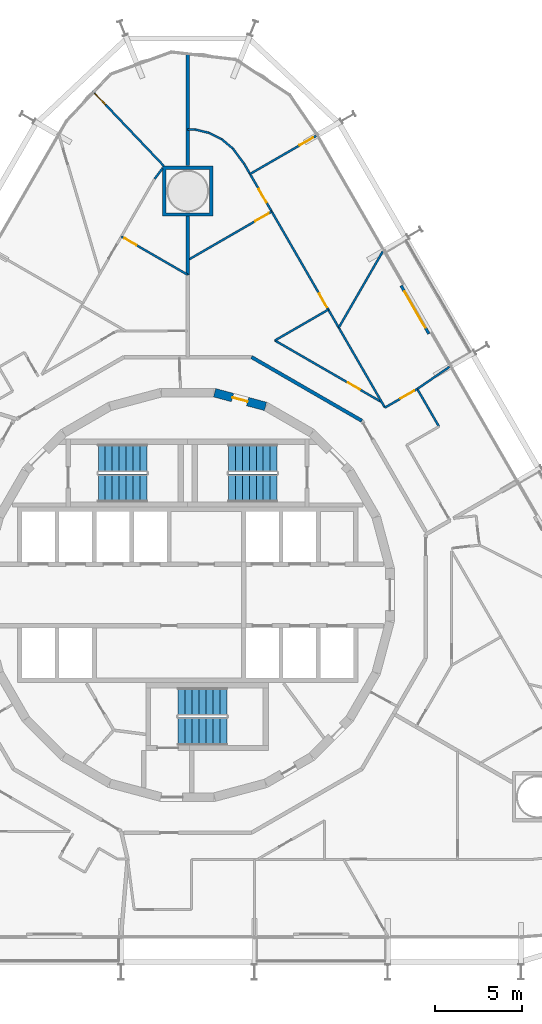
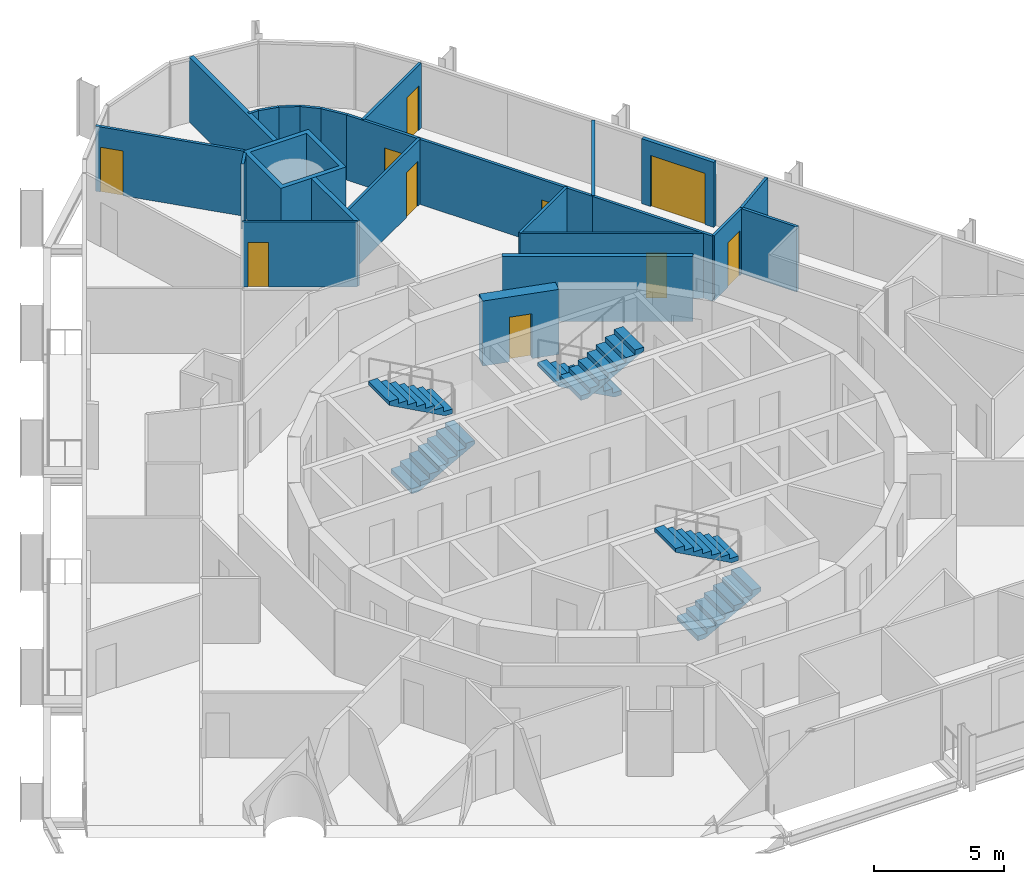
# One storey, part 18 of 20: 24 walls, 10 doors, 6 stair flights, 10 openings, 3 elements without a shape of their own.
"""IFC4 building model written with IfcOpenShell, lengths in metres."""

from ifc_helpers import new_model, si_unit, direction, frame, frame_2d, origin, place, context, subcontext, project, spatial, polyline, rectangle, outline, extrude, material, layer, layer_set, type_object, element, fill, aggregate, save


model = new_model("IFC4")

# Units and contexts
model_context = context("Model", 3, precision=1e-05, world=origin(), true_north=direction((0.0, 1.0)))
body_context = subcontext(model_context, "Body", "Model", "MODEL_VIEW")
ifc_project = project(units=[si_unit("LENGTHUNIT", "METRE"), si_unit("AREAUNIT", "SQUARE_METRE"), si_unit("VOLUMEUNIT", "CUBIC_METRE"), si_unit("PLANEANGLEUNIT", "RADIAN"), si_unit("MASSUNIT", "GRAM", prefix="KILO")], contexts=[model_context])

# Site, building, storey
site_placement = place(None, origin())
site = spatial("IfcSite", under=ifc_project, at=site_placement, CompositionType="ELEMENT")
building_placement = place(site_placement, origin())
building = spatial("IfcBuilding", under=site, at=building_placement, Name="Spindle Arch Residences", CompositionType="ELEMENT")
storey_placement = place(building_placement, frame((0.0, 0.0, 66.39990234375)))
storey = spatial("IfcBuildingStorey", under=building, at=storey_placement, Name="L15", CompositionType="ELEMENT", Elevation=66.39990234375)

# Wall, opening, door
ifc_material_1 = material(Name="Concrete C50/60", Category="concrete")
ifc_layer_1 = layer(ifc_material_1, 0.5)
ifc_layer_set_1 = layer_set([ifc_layer_1], Name="Core outline wall 500")
wall_type_1 = type_object("IfcWallType", Name="Core outline wall 500", PredefinedType="SHEAR", material=ifc_layer_set_1)
wall_1_placement = place(storey_placement, frame((4.479248046875, 10.858154296875, 0.0), z_axis=(0.0, 0.0, 1.0), x_axis=(-0.965948410781, 0.258734743916, 0.0)))
wall_1 = element("IfcWall", 1, at=wall_1_placement, inside=storey, type_object=wall_type_1, Name="Core outline wall 11", PredefinedType="SHEAR", context=body_context, shape_type="SweptSolid", body=[
    extrude(rectangle(XDim=3.03271484375, YDim=0.5, at=frame_2d((1.516357421875, 0.0))), origin(), (0.0, 0.0, 1.0), 3.050048828125),
])
opening_1_placement = place(wall_1_placement, frame((1.066162109375, 0.0, 0.0)))
opening_1 = element("IfcOpeningElement", 2, at=opening_1_placement, cuts=wall_1, Name="Opening R1C0-WD09", PredefinedType="OPENING", context=body_context, shape_type="SweptSolid", body=[
    extrude(rectangle(XDim=0.89990234375, YDim=2.10009765625, at=frame_2d((0.449951171875, 1.050048828125))), frame((0.0, 0.260009765625, 0.0), z_axis=(0.0, -1.0, 0.0), x_axis=(1.0, 0.0, 0.0)), (0.0, 0.0, 1.0), 0.52001953125),
])
ifc_material_2 = material(Name="Steel, fire-resisting door", Category="steel")
door_type_1 = type_object("IfcDoorType", Name="Service room door 900x2100", OperationType="SINGLE_SWING_LEFT", PredefinedType="DOOR", material=ifc_material_2)
door_1_placement = place(opening_1_placement, origin())
door_1 = element("IfcDoor", 3, at=door_1_placement, inside=storey, type_object=door_type_1, Name="Service room door R1C0-WD09", OperationType="SINGLE_SWING_RIGHT", OverallHeight=2.10009765625, OverallWidth=0.89990234375, PredefinedType="DOOR", context=body_context, shape_type="SweptSolid", body=[
    extrude(rectangle(XDim=0.89990234375, YDim=2.10009765625, at=frame_2d((0.449951171875, 1.050048828125))), frame((0.0, 0.02490234375, 0.0), z_axis=(0.0, -1.0, 0.0), x_axis=(1.0, 0.0, 0.0)), (0.0, 0.0, 1.0), 0.050048828125),
])
fill(opening_1, door_1)

# Walls
ifc_material_3 = material(Name="Calcium silicate block, plastered")
ifc_layer_2 = layer(ifc_material_3, 0.199951171875)
ifc_layer_set_2 = layer_set([ifc_layer_2], Name="Corridor wall 200")
wall_type_2 = type_object("IfcWallType", Name="Corridor wall 200", PredefinedType="STANDARD", material=ifc_layer_set_2)
wall_2_placement = place(storey_placement, frame((10.029052734375, 10.029052734375, 0.0), z_axis=(0.0, 0.0, 1.0), x_axis=(-0.866024439905, 0.500001669485, 0.0)))
element("IfcWall", 4, at=wall_2_placement, inside=storey, type_object=wall_type_2, Name="Corridor wall R1C0-W005", PredefinedType="STANDARD", context=body_context, shape_type="SweptSolid", body=[
    extrude(rectangle(XDim=7.341796875, YDim=0.199951171875, at=frame_2d((3.6708984375, 0.0))), origin(), (0.0, 0.0, 1.0), 3.050048828125),
])
ifc_material_4 = material(Name="Plasterboard on steel studs", Category="steel")
ifc_layer_3 = layer(ifc_material_4, 0.1201171875)
ifc_layer_set_3 = layer_set([ifc_layer_3], Name="Flat partition 120")
wall_type_3 = type_object("IfcWallType", Name="Flat partition 120", PredefinedType="PARTITIONING", material=ifc_layer_set_3)
wall_3_placement = place(storey_placement, frame((14.470703125, 9.697021484375, 0.0), z_axis=(0.0, 0.0, 1.0), x_axis=(-0.500004234368, 0.866022959057, 0.0)))
element("IfcWall", 5, at=wall_3_placement, inside=storey, type_object=wall_type_3, Name="Flat partition R1C0-W034", PredefinedType="PARTITIONING", context=body_context, shape_type="SweptSolid", body=[
    extrude(rectangle(XDim=2.5, YDim=0.1201171875, at=frame_2d((1.25, 0.0))), origin(), (0.0, 0.0, 1.0), 3.050048828125),
])

# Wall, opening, door
wall_4_placement = place(storey_placement, frame((13.220703125, 11.862060546875, 0.0), z_axis=(0.0, 0.0, 1.0), x_axis=(-0.866055151781, -0.499948471418, 0.0)))
wall_4 = element("IfcWall", 6, at=wall_4_placement, inside=storey, type_object=wall_type_3, Name="Flat partition R1C0-W035", PredefinedType="PARTITIONING", context=body_context, shape_type="SweptSolid", body=[
    extrude(rectangle(XDim=2.150634765625, YDim=0.1201171875, at=frame_2d((1.0751953125, 0.0))), origin(), (0.0, 0.0, 1.0), 3.050048828125),
])
opening_2_placement = place(wall_4_placement, frame((0.199951171875, 0.0, 0.0)))
opening_2 = element("IfcOpeningElement", 7, at=opening_2_placement, cuts=wall_4, Name="Opening R1C0-ID02", PredefinedType="OPENING", context=body_context, shape_type="SweptSolid", body=[
    extrude(rectangle(XDim=0.89990234375, YDim=2.10009765625, at=frame_2d((0.449951171875, 1.050048828125))), frame((0.0, 0.070068359375, 0.0), z_axis=(0.0, -1.0, 0.0), x_axis=(1.0, 0.0, 0.0)), (0.0, 0.0, 1.0), 0.14013671875),
])
ifc_material_5 = material(Name="Timber door set", Category="wood")
door_type_2 = type_object("IfcDoorType", Name="Room door 900x2100", OperationType="NOTDEFINED", PredefinedType="DOOR", material=ifc_material_5)
door_2_placement = place(opening_2_placement, origin())
door_2 = element("IfcDoor", 8, at=door_2_placement, inside=storey, type_object=door_type_2, Name="Room door R1C0-ID02", OperationType="SINGLE_SWING_RIGHT", OverallHeight=2.10009765625, OverallWidth=0.89990234375, PredefinedType="DOOR", context=body_context, shape_type="SweptSolid", body=[
    extrude(rectangle(XDim=0.89990234375, YDim=2.10009765625, at=frame_2d((0.449951171875, 1.050048828125))), frame((0.0, 0.02490234375, 0.0), z_axis=(0.0, -1.0, 0.0), x_axis=(1.0, 0.0, 0.0)), (0.0, 0.0, 1.0), 0.050048828125),
])
fill(opening_2, door_2)

wall_5_placement = place(storey_placement, frame((11.127197265625, 11.127197265625, 0.0), z_axis=(0.0, 0.0, 1.0), x_axis=(-0.86602299963, 0.500004164094, 0.0)))
wall_5 = element("IfcWall", 9, at=wall_5_placement, inside=storey, type_object=wall_type_3, Name="Flat partition R1C0-W036", PredefinedType="PARTITIONING", context=body_context, shape_type="SweptSolid", body=[
    extrude(rectangle(XDim=7.0517578125, YDim=0.1201171875, at=frame_2d((3.52587890625, 0.0))), origin(), (0.0, 0.0, 1.0), 3.050048828125),
])
opening_3_placement = place(wall_5_placement, frame((1.39990234375, 0.0, 0.0)))
opening_3 = element("IfcOpeningElement", 10, at=opening_3_placement, cuts=wall_5, Name="Opening R1C0-BD01", PredefinedType="OPENING", context=body_context, shape_type="SweptSolid", body=[
    extrude(rectangle(XDim=0.800048828125, YDim=2.10009765625, at=frame_2d((0.39990234375, 1.050048828125))), frame((0.0, 0.070068359375, 0.0), z_axis=(0.0, -1.0, 0.0), x_axis=(1.0, 0.0, 0.0)), (0.0, 0.0, 1.0), 0.14013671875),
])
ifc_material_6 = material(Name="Timber door set", Category="wood")
door_type_3 = type_object("IfcDoorType", Name="Bathroom door 800x2100", OperationType="NOTDEFINED", PredefinedType="DOOR", material=ifc_material_6)
door_3_placement = place(opening_3_placement, origin())
door_3 = element("IfcDoor", 11, at=door_3_placement, inside=storey, type_object=door_type_3, Name="Bathroom door R1C0-BD01", OperationType="SINGLE_SWING_RIGHT", OverallHeight=2.10009765625, OverallWidth=0.800048828125, PredefinedType="DOOR", context=body_context, shape_type="SweptSolid", body=[
    extrude(rectangle(XDim=0.800048828125, YDim=2.10009765625, at=frame_2d((0.39990234375, 1.050048828125))), frame((0.0, 0.02490234375, 0.0), z_axis=(0.0, -1.0, 0.0), x_axis=(1.0, 0.0, 0.0)), (0.0, 0.0, 1.0), 0.050048828125),
])
fill(opening_3, door_3)

# Wall
wall_6_placement = place(storey_placement, frame((5.020263671875, 14.653076171875, 0.0), z_axis=(0.0, 0.0, 1.0), x_axis=(0.866028940167, 0.499993874756, 0.0)))
element("IfcWall", 12, at=wall_6_placement, inside=storey, type_object=wall_type_3, Name="Flat partition R1C0-W037", PredefinedType="PARTITIONING", context=body_context, shape_type="SweptSolid", body=[
    extrude(rectangle(XDim=3.5556640625, YDim=0.1201171875, at=frame_2d((1.77783203125, 0.0))), origin(), (0.0, 0.0, 1.0), 3.050048828125),
])

# Wall, openings, doors
wall_7_placement = place(storey_placement, frame((8.69970703125, 15.3916015625, 0.0), z_axis=(0.0, 0.0, 1.0), x_axis=(-0.500002742713, 0.866023820272, 0.0)))
wall_7 = element("IfcWall", 13, at=wall_7_placement, inside=storey, type_object=wall_type_3, Name="Flat partition R1C0-W038", PredefinedType="PARTITIONING", context=body_context, shape_type="SweptSolid", body=[
    extrude(rectangle(XDim=10.90771484375, YDim=0.1201171875, at=frame_2d((5.453857421875, 0.0))), origin(), (0.0, 0.0, 1.0), 3.050048828125),
])
opening_4_placement = place(wall_7_placement, frame((1.360107421875, 0.0, 0.0)))
opening_4 = element("IfcOpeningElement", 14, at=opening_4_placement, cuts=wall_7, Name="Opening R1C0-ID03", PredefinedType="OPENING", context=body_context, shape_type="SweptSolid", body=[
    extrude(rectangle(XDim=0.89990234375, YDim=2.10009765625, at=frame_2d((0.449951171875, 1.050048828125))), frame((0.0, 0.070068359375, 0.0), z_axis=(0.0, -1.0, 0.0), x_axis=(1.0, 0.0, 0.0)), (0.0, 0.0, 1.0), 0.14013671875),
])
opening_5_placement = place(wall_7_placement, frame((8.3173828125, 0.0, 0.0)))
opening_5 = element("IfcOpeningElement", 15, at=opening_5_placement, cuts=wall_7, Name="Opening R1C0-ID06", PredefinedType="OPENING", context=body_context, shape_type="SweptSolid", body=[
    extrude(rectangle(XDim=0.89990234375, YDim=2.10009765625, at=frame_2d((0.449951171875, 1.050048828125))), frame((0.0, 0.070068359375, 0.0), z_axis=(0.0, -1.0, 0.0), x_axis=(1.0, 0.0, 0.0)), (0.0, 0.0, 1.0), 0.14013671875),
])
door_4_placement = place(opening_4_placement, origin())
door_4 = element("IfcDoor", 16, at=door_4_placement, inside=storey, type_object=door_type_2, Name="Room door R1C0-ID03", OperationType="SINGLE_SWING_RIGHT", OverallHeight=2.10009765625, OverallWidth=0.89990234375, PredefinedType="DOOR", context=body_context, shape_type="SweptSolid", body=[
    extrude(rectangle(XDim=0.89990234375, YDim=2.10009765625, at=frame_2d((0.449951171875, 1.050048828125))), frame((0.0, 0.02490234375, 0.0), z_axis=(0.0, -1.0, 0.0), x_axis=(1.0, 0.0, 0.0)), (0.0, 0.0, 1.0), 0.050048828125),
])
fill(opening_4, door_4)
door_5_placement = place(opening_5_placement, origin())
door_5 = element("IfcDoor", 17, at=door_5_placement, inside=storey, type_object=door_type_2, Name="Room door R1C0-ID06", OperationType="SINGLE_SWING_LEFT", OverallHeight=2.10009765625, OverallWidth=0.89990234375, PredefinedType="DOOR", context=body_context, shape_type="SweptSolid", body=[
    extrude(rectangle(XDim=0.89990234375, YDim=2.10009765625, at=frame_2d((0.449951171875, 1.050048828125))), frame((0.0, 0.02490234375, 0.0), z_axis=(0.0, -1.0, 0.0), x_axis=(1.0, 0.0, 0.0)), (0.0, 0.0, 1.0), 0.050048828125),
])
fill(opening_5, door_5)

# Wall, opening, door
wall_8_placement = place(storey_placement, frame((4.8408203125, 22.0751953125, 0.0), z_axis=(0.0, 0.0, 1.0), x_axis=(-0.866019751484, -0.500009789943, 0.0)))
wall_8 = element("IfcWall", 18, at=wall_8_placement, inside=storey, type_object=wall_type_3, Name="Flat partition R1C0-W039", PredefinedType="PARTITIONING", context=body_context, shape_type="SweptSolid", body=[
    extrude(rectangle(XDim=5.58984375, YDim=0.1201171875, at=frame_2d((2.794921875, 0.0))), origin(), (0.0, 0.0, 1.0), 3.050048828125),
])
opening_6_placement = place(wall_8_placement, frame((0.199951171875, 0.0, 0.0)))
opening_6 = element("IfcOpeningElement", 19, at=opening_6_placement, cuts=wall_8, Name="Opening R1C0-ID04", PredefinedType="OPENING", context=body_context, shape_type="SweptSolid", body=[
    extrude(rectangle(XDim=0.89990234375, YDim=2.10009765625, at=frame_2d((0.449951171875, 1.050048828125))), frame((0.0, 0.070068359375, 0.0), z_axis=(0.0, -1.0, 0.0), x_axis=(1.0, 0.0, 0.0)), (0.0, 0.0, 1.0), 0.14013671875),
])
door_6_placement = place(opening_6_placement, origin())
door_6 = element("IfcDoor", 20, at=door_6_placement, inside=storey, type_object=door_type_2, Name="Room door R1C0-ID04", OperationType="SINGLE_SWING_RIGHT", OverallHeight=2.10009765625, OverallWidth=0.89990234375, PredefinedType="DOOR", context=body_context, shape_type="SweptSolid", body=[
    extrude(rectangle(XDim=0.89990234375, YDim=2.10009765625, at=frame_2d((0.449951171875, 1.050048828125))), frame((0.0, 0.02490234375, 0.0), z_axis=(0.0, -1.0, 0.0), x_axis=(1.0, 0.0, 0.0)), (0.0, 0.0, 1.0), 0.050048828125),
])
fill(opening_6, door_6)

# Walls
wall_9_placement = place(storey_placement, frame((15.080078125, 13.140380859375, 0.0), z_axis=(0.0, 0.0, 1.0), x_axis=(-0.824041924199, -0.566528822887, 0.0)))
element("IfcWall", 21, at=wall_9_placement, inside=storey, type_object=wall_type_3, Name="Flat partition R1C0-W040", PredefinedType="PARTITIONING", context=body_context, shape_type="SweptSolid", body=[
    extrude(rectangle(XDim=2.25634765625, YDim=0.1201171875, at=frame_2d((1.128173828125, 0.0))), origin(), (0.0, 0.0, 1.0), 3.050048828125),
])
wall_10_placement = place(storey_placement, frame((8.69970703125, 15.3916015625, 0.0), z_axis=(0.0, 0.0, 1.0), x_axis=(0.499986106925, -0.866033424806, 0.0)))
element("IfcWall", 22, at=wall_10_placement, inside=storey, type_object=wall_type_3, Name="Flat partition R1C0-W041", PredefinedType="PARTITIONING", context=body_context, shape_type="SweptSolid", body=[
    extrude(rectangle(XDim=5.317138671875, YDim=0.1201171875, at=frame_2d((2.65869140625, 0.0))), origin(), (0.0, 0.0, 1.0), 3.050048828125),
])
wall_11_placement = place(storey_placement, frame((11.239990234375, 19.791748046875, 0.0), z_axis=(0.0, 0.0, 1.0), x_axis=(-0.499978956711, -0.866037552792, 0.0)))
element("IfcWall", 23, at=wall_11_placement, inside=storey, type_object=wall_type_3, Name="Flat partition R1C0-W042", PredefinedType="PARTITIONING", context=body_context, shape_type="SweptSolid", body=[
    extrude(rectangle(XDim=5.080810546875, YDim=0.1201171875, at=frame_2d((2.54052734375, 0.0))), origin(), (0.0, 0.0, 1.0), 3.050048828125),
])

# Wall, opening, door
wall_12_placement = place(storey_placement, frame((7.39990234375, 26.44287109375, 0.0), z_axis=(0.0, 0.0, 1.0), x_axis=(-0.866032203192, -0.499988222896, 0.0)))
wall_12 = element("IfcWall", 24, at=wall_12_placement, inside=storey, type_object=wall_type_3, Name="Flat partition R1C0-W043", PredefinedType="PARTITIONING", context=body_context, shape_type="SweptSolid", body=[
    extrude(rectangle(XDim=4.39990234375, YDim=0.1201171875, at=frame_2d((2.199951171875, 0.0))), origin(), (0.0, 0.0, 1.0), 3.050048828125),
])
opening_7_placement = place(wall_12_placement, frame((0.199951171875, 0.0, 0.0)))
opening_7 = element("IfcOpeningElement", 25, at=opening_7_placement, cuts=wall_12, Name="Opening R1C0-ID05", PredefinedType="OPENING", context=body_context, shape_type="SweptSolid", body=[
    extrude(rectangle(XDim=0.89990234375, YDim=2.10009765625, at=frame_2d((0.449951171875, 1.050048828125))), frame((0.0, 0.070068359375, 0.0), z_axis=(0.0, -1.0, 0.0), x_axis=(1.0, 0.0, 0.0)), (0.0, 0.0, 1.0), 0.14013671875),
])
door_7_placement = place(opening_7_placement, origin())
door_7 = element("IfcDoor", 26, at=door_7_placement, inside=storey, type_object=door_type_2, Name="Room door R1C0-ID05", OperationType="SINGLE_SWING_RIGHT", OverallHeight=2.10009765625, OverallWidth=0.89990234375, PredefinedType="DOOR", context=body_context, shape_type="SweptSolid", body=[
    extrude(rectangle(XDim=0.89990234375, YDim=2.10009765625, at=frame_2d((0.449951171875, 1.050048828125))), frame((0.0, 0.02490234375, 0.0), z_axis=(0.0, -1.0, 0.0), x_axis=(1.0, 0.0, 0.0)), (0.0, 0.0, 1.0), 0.050048828125),
])
fill(opening_7, door_7)

# Walls
wall_13_placement = place(storey_placement, frame((0.0, 26.8056640625, 0.0), z_axis=(0.0, 0.0, 1.0), x_axis=(1.0, 0.0, 0.0)))
element("IfcWall", 27, at=wall_13_placement, inside=storey, type_object=wall_type_3, Name="Flat partition R1C0-W044", PredefinedType="PARTITIONING", context=body_context, shape_type="SweptSolid", body=[
    extrude(rectangle(XDim=0.41455078125, YDim=0.1201171875, at=frame_2d((0.207275390625, 0.0))), origin(), (0.0, 0.0, 1.0), 3.050048828125),
])
wall_14_placement = place(storey_placement, frame((0.41455078125, 26.8056640625, 0.0), z_axis=(0.0, 0.0, 1.0), x_axis=(0.973048993259, -0.230598475097, 0.0)))
element("IfcWall", 28, at=wall_14_placement, inside=storey, type_object=wall_type_3, Name="Flat partition R1C0-W045", PredefinedType="PARTITIONING", context=body_context, shape_type="SweptSolid", body=[
    extrude(rectangle(XDim=0.8291015625, YDim=0.1201171875, at=frame_2d((0.41455078125, 0.0))), origin(), (0.0, 0.0, 1.0), 3.050048828125),
])
for number, where, z_axis, x_axis, name in (
    (29, (1.22119140625, 26.614501953125, 0.0), (0.0, 0.0, 1.0), (0.893719110379, -0.448626962791, 0.0), "Flat partition R1C0-W046"),
    (30, (1.9619140625, 26.24267578125, 0.0), (0.0, 0.0, 1.0), (0.765849913579, -0.643019369748, 0.0), "Flat partition R1C0-W047"),
):
    element("IfcWall", number, at=place(storey_placement, frame(where, z_axis=z_axis, x_axis=x_axis)), inside=storey, type_object=wall_type_3, Name=name, PredefinedType="PARTITIONING", context=body_context, shape_type="SweptSolid", body=[
        extrude(rectangle(XDim=0.828857421875, YDim=0.1201171875, at=frame_2d((0.41455078125, 0.0))), origin(), (0.0, 0.0, 1.0), 3.050048828125),
    ])
wall_15_placement = place(storey_placement, frame((2.5966796875, 25.709716796875, 0.0), z_axis=(0.0, 0.0, 1.0), x_axis=(0.59722925597, -0.802070580319, 0.0)))
element("IfcWall", 31, at=wall_15_placement, inside=storey, type_object=wall_type_3, Name="Flat partition R1C0-W048", PredefinedType="PARTITIONING", context=body_context, shape_type="SweptSolid", body=[
    extrude(rectangle(XDim=1.0869140625, YDim=0.1201171875, at=frame_2d((0.54345703125, 0.0))), origin(), (0.0, 0.0, 1.0), 3.050048828125),
])

# Wall, opening, door
wall_16_placement = place(storey_placement, frame((-5.487060546875, 29.0283203125, 0.0), z_axis=(0.0, 0.0, 1.0), x_axis=(0.689189638576, -0.724581011398, 0.0)))
wall_16 = element("IfcWall", 32, at=wall_16_placement, inside=storey, type_object=wall_type_3, Name="Flat partition R1C0-W055", PredefinedType="PARTITIONING", context=body_context, shape_type="SweptSolid", body=[
    extrude(rectangle(XDim=5.960205078125, YDim=0.1201171875, at=frame_2d((2.97998046875, 0.0))), origin(), (0.0, 0.0, 1.0), 3.050048828125),
])
opening_8_placement = place(wall_16_placement, frame((0.199951171875, 0.0, 0.0)))
opening_8 = element("IfcOpeningElement", 33, at=opening_8_placement, cuts=wall_16, Name="Opening R1C0-ID10", PredefinedType="OPENING", context=body_context, shape_type="SweptSolid", body=[
    extrude(rectangle(XDim=0.89990234375, YDim=2.10009765625, at=frame_2d((0.449951171875, 1.050048828125))), frame((0.0, 0.070068359375, 0.0), z_axis=(0.0, -1.0, 0.0), x_axis=(1.0, 0.0, 0.0)), (0.0, 0.0, 1.0), 0.14013671875),
])
door_8_placement = place(opening_8_placement, origin())
door_8 = element("IfcDoor", 34, at=door_8_placement, inside=storey, type_object=door_type_2, Name="Room door R1C0-ID10", OperationType="SINGLE_SWING_LEFT", OverallHeight=2.10009765625, OverallWidth=0.89990234375, PredefinedType="DOOR", context=body_context, shape_type="SweptSolid", body=[
    extrude(rectangle(XDim=0.89990234375, YDim=2.10009765625, at=frame_2d((0.449951171875, 1.050048828125))), frame((0.0, 0.02490234375, 0.0), z_axis=(0.0, -1.0, 0.0), x_axis=(1.0, 0.0, 0.0)), (0.0, 0.0, 1.0), 0.050048828125),
])
fill(opening_8, door_8)

wall_17_placement = place(storey_placement, frame((-3.820556640625, 20.642578125, 0.0), z_axis=(0.0, 0.0, 1.0), x_axis=(0.866024310165, -0.5000018942, 0.0)))
wall_17 = element("IfcWall", 35, at=wall_17_placement, inside=storey, type_object=wall_type_3, Name="Flat partition R1C0-W056", PredefinedType="PARTITIONING", context=body_context, shape_type="SweptSolid", body=[
    extrude(rectangle(XDim=4.41162109375, YDim=0.1201171875, at=frame_2d((2.205810546875, 0.0))), origin(), (0.0, 0.0, 1.0), 3.050048828125),
])
opening_9_placement = place(wall_17_placement, frame((0.199951171875, 0.0, 0.0)))
opening_9 = element("IfcOpeningElement", 36, at=opening_9_placement, cuts=wall_17, Name="Opening R1C0-BD03", PredefinedType="OPENING", context=body_context, shape_type="SweptSolid", body=[
    extrude(rectangle(XDim=0.800048828125, YDim=2.10009765625, at=frame_2d((0.39990234375, 1.050048828125))), frame((0.0, 0.070068359375, 0.0), z_axis=(0.0, -1.0, 0.0), x_axis=(1.0, 0.0, 0.0)), (0.0, 0.0, 1.0), 0.14013671875),
])
door_9_placement = place(opening_9_placement, origin())
door_9 = element("IfcDoor", 37, at=door_9_placement, inside=storey, type_object=door_type_3, Name="Bathroom door R1C0-BD03", OperationType="SINGLE_SWING_LEFT", OverallHeight=2.10009765625, OverallWidth=0.800048828125, PredefinedType="DOOR", context=body_context, shape_type="SweptSolid", body=[
    extrude(rectangle(XDim=0.800048828125, YDim=2.10009765625, at=frame_2d((0.39990234375, 1.050048828125))), frame((0.0, 0.02490234375, 0.0), z_axis=(0.0, -1.0, 0.0), x_axis=(1.0, 0.0, 0.0)), (0.0, 0.0, 1.0), 0.050048828125),
])
fill(opening_9, door_9)

# Walls
wall_18_placement = place(storey_placement, frame((-1.449951171875, 24.57080078125, 0.0), z_axis=(0.0, 0.0, 1.0), x_axis=(-0.597187509737, -0.802101663266, 0.0)))
element("IfcWall", 38, at=wall_18_placement, inside=storey, type_object=wall_type_3, Name="Flat partition R1C0-W057", PredefinedType="PARTITIONING", context=body_context, shape_type="SweptSolid", body=[
    extrude(rectangle(XDim=0.764892578125, YDim=0.1201171875, at=frame_2d((0.38232421875, 0.0))), origin(), (0.0, 0.0, 1.0), 3.050048828125),
])
ifc_material_7 = material(Name="Calcium silicate block, plastered")
ifc_layer_4 = layer(ifc_material_7, 0.199951171875)
ifc_layer_set_4 = layer_set([ifc_layer_4], Name="Flat party wall 200")
wall_type_4 = type_object("IfcWallType", Name="Flat party wall 200", PredefinedType="STANDARD", material=ifc_layer_set_4)
wall_19_placement = place(storey_placement, frame((0.0, 21.809814453125, 0.0), z_axis=(0.0, 0.0, 1.0), x_axis=(0.0, -1.0, 0.0)))
element("IfcWall", 39, at=wall_19_placement, inside=storey, type_object=wall_type_4, Name="Flat party wall R1C0-W018", PredefinedType="STANDARD", context=body_context, shape_type="SweptSolid", body=[
    extrude(rectangle(XDim=3.373046875, YDim=0.199951171875, at=frame_2d((1.6865234375, 0.0))), origin(), (0.0, 0.0, 1.0), 3.050048828125),
])
wall_20_placement = place(storey_placement, frame((0.0, 31.205810546875, 0.0), z_axis=(0.0, 0.0, 1.0), x_axis=(-0.001543266126, -0.999998809164, 0.0)))
element("IfcWall", 40, at=wall_20_placement, inside=storey, type_object=wall_type_4, Name="Flat party wall R1C0-W021", PredefinedType="STANDARD", context=body_context, shape_type="SweptSolid", body=[
    extrude(rectangle(XDim=6.486083984375, YDim=0.199951171875, at=frame_2d((3.2431640625, 0.0))), origin(), (0.0, 0.0, 1.0), 3.050048828125),
])

# Wall, opening, door
ifc_material_8 = material(Name="Non-combustible mineral wool insulated aluminium faced external wall (K0)", Category="aluminium")
ifc_layer_5 = layer(ifc_material_8, 0.159912109375)
ifc_layer_set_5 = layer_set([ifc_layer_5], Name="Insulated external wall panel 160")
wall_type_5 = type_object("IfcWallType", Name="Insulated external wall panel 160", PredefinedType="STANDARD", material=ifc_layer_set_5)
wall_21_placement = place(storey_placement, frame((13.890625, 15.04052734375, 0.0), z_axis=(0.0, 0.0, 1.0), x_axis=(-0.499971222258, 0.866042017984, 0.0)))
wall_21 = element("IfcWall", 41, at=wall_21_placement, inside=storey, type_object=wall_type_5, Name="External wall L15 bay 9", PredefinedType="STANDARD", context=body_context, shape_type="SweptSolid", body=[
    extrude(rectangle(XDim=3.199951171875, YDim=0.159912109375, at=frame_2d((1.60009765625, 0.0))), origin(), (0.0, 0.0, 1.0), 3.050048828125),
])
opening_10_placement = place(wall_21_placement, frame((0.39990234375, 0.0, 0.0)))
opening_10 = element("IfcOpeningElement", 42, at=opening_10_placement, cuts=wall_21, Name="Opening BD09", PredefinedType="OPENING", context=body_context, shape_type="SweptSolid", body=[
    extrude(rectangle(XDim=2.39990234375, YDim=2.39990234375, at=frame_2d((1.199951171875, 1.199951171875))), frame((0.0, 0.08984375, 0.0), z_axis=(0.0, -1.0, 0.0), x_axis=(1.0, 0.0, 0.0)), (0.0, 0.0, 1.0), 0.179931640625),
])
ifc_material_9 = material(Name="Bronze aluminium frame, tinted double glazing", Category="aluminium")
door_type_4 = type_object("IfcDoorType", Name="Sliding glazed balcony door 2400x2400", OperationType="DOUBLE_DOOR_SLIDING", PredefinedType="DOOR", material=ifc_material_9)
door_10_placement = place(opening_10_placement, origin())
door_10 = element("IfcDoor", 43, at=door_10_placement, inside=storey, type_object=door_type_4, Name="Balcony door BD09", OperationType="DOUBLE_DOOR_SLIDING", OverallHeight=2.39990234375, OverallWidth=2.39990234375, PredefinedType="DOOR", context=body_context, shape_type="SweptSolid", body=[
    extrude(rectangle(XDim=2.39990234375, YDim=2.39990234375, at=frame_2d((1.199951171875, 1.199951171875))), frame((0.0, 0.02490234375, 0.0), z_axis=(0.0, -1.0, 0.0), x_axis=(1.0, 0.0, 0.0)), (0.0, 0.0, 1.0), 0.050048828125),
])
fill(opening_10, door_10)

# Wall
ifc_material_10 = material(Name="Calcium silicate block, plastered")
ifc_layer_6 = layer(ifc_material_10, 0.199951171875)
ifc_layer_set_6 = layer_set([ifc_layer_6], Name="Mega-column casing wall 200")
wall_type_6 = type_object("IfcWallType", Name="Mega-column casing wall 200", PredefinedType="STANDARD", material=ifc_layer_set_6)
wall_22_placement = place(storey_placement, origin())
element("IfcWall", 44, at=wall_22_placement, inside=storey, type_object=wall_type_6, Name="Mega-column casing wall R1C0-WC01", PredefinedType="STANDARD", context=body_context, shape_type="SweptSolid", body=[
    extrude(outline(polyline([(1.449951171875, 24.709716796875), (1.449951171875, 21.809814453125), (-1.449951171875, 21.809814453125), (-1.449951171875, 24.709716796875), (1.449951171875, 24.709716796875)]), holes=[polyline([(-1.25, 22.009765625), (1.25, 22.009765625), (1.25, 24.509765625), (-1.25, 24.509765625), (-1.25, 22.009765625)])]), origin(), (0.0, 0.0, 1.0), 3.050048828125),
])

# Stair, stair flights
ifc_material_11 = material(Name="Concrete C50/60", Category="concrete")
stair_type = type_object("IfcStairType", Name="Exit stair 16 risers", PredefinedType="HALF_TURN_STAIR", material=ifc_material_11)
stair_1_placement = place(storey_placement, origin())
stair_1 = element("IfcStair", 45, at=stair_1_placement, inside=storey, type_object=stair_type, Name="L15 Exit stair ST1", PredefinedType="HALF_TURN_STAIR")
ifc_material_12 = material(Name="Concrete C50/60", Category="concrete")
stair_flight_type = type_object("IfcStairFlightType", Name="Exit stair flight", PredefinedType="STRAIGHT", material=ifc_material_12)
stair_flight_1_placement = place(storey_placement, frame((5.14990234375, 7.8701171875, 0.0), z_axis=(0.0, 0.0, 1.0), x_axis=(-1.0, 0.0, 0.0)))
stair_flight_1 = element("IfcStairFlight", 46, at=stair_flight_1_placement, type_object=stair_flight_type, Name="ST1 flight 1", NumberOfRisers=8, NumberOfTreads=7, PredefinedType="STRAIGHT", RiserHeight=0.21875, TreadLength=0.4, context=body_context, shape_type="SweptSolid", body=[
    extrude(outline(polyline([(0.0, 0.0), (0.0, 0.21875), (0.39990234375, 0.21875), (0.39990234375, 0.4375), (0.800048828125, 0.4375), (0.800048828125, 0.65625), (1.199951171875, 0.65625), (1.199951171875, 0.875), (1.60009765625, 0.875), (1.60009765625, 1.09375), (2.0, 1.09375), (2.0, 1.3125), (2.39990234375, 1.3125), (2.39990234375, 1.53125), (2.800048828125, 1.53125), (2.800048828125, 1.75), (2.800048828125, 1.3603515625), (0.3125, 0.0), (0.0, 0.0)])), frame((0.0, 0.800048828125, 0.0), z_axis=(0.0, -1.0, 0.0), x_axis=(1.0, 0.0, 0.0)), (0.0, 0.0, 1.0), 1.60009765625),
])
stair_flight_2_placement = place(storey_placement, frame((2.35009765625, 6.14990234375, 1.75), z_axis=(0.0, 0.0, 1.0), x_axis=(1.0, 0.0, 0.0)))
stair_flight_2 = element("IfcStairFlight", 47, at=stair_flight_2_placement, type_object=stair_flight_type, Name="ST1 flight 2", NumberOfRisers=8, NumberOfTreads=7, PredefinedType="STRAIGHT", RiserHeight=0.21875, TreadLength=0.4, context=body_context, shape_type="SweptSolid", body=[
    extrude(outline(polyline([(0.0, 0.0), (0.0, 0.21875), (0.39990234375, 0.21875), (0.39990234375, 0.4375), (0.800048828125, 0.4375), (0.800048828125, 0.65625), (1.199951171875, 0.65625), (1.199951171875, 0.875), (1.60009765625, 0.875), (1.60009765625, 1.09375), (2.0, 1.09375), (2.0, 1.3125), (2.39990234375, 1.3125), (2.39990234375, 1.53125), (2.800048828125, 1.53125), (2.800048828125, 1.75), (2.800048828125, 1.3603515625), (0.3125, 0.0), (0.0, 0.0)])), frame((0.0, 0.800048828125, 0.0), z_axis=(0.0, -1.0, 0.0), x_axis=(1.0, 0.0, 0.0)), (0.0, 0.0, 1.0), 1.60009765625),
])
aggregate(stair_1, [stair_flight_1, stair_flight_2])

stair_2_placement = place(storey_placement, origin())
stair_2 = element("IfcStair", 48, at=stair_2_placement, inside=storey, type_object=stair_type, Name="L15 Exit stair ST2", PredefinedType="HALF_TURN_STAIR")
stair_flight_3_placement = place(storey_placement, frame((-5.14990234375, 6.14990234375, 0.0), z_axis=(0.0, 0.0, 1.0), x_axis=(1.0, 0.0, 0.0)))
stair_flight_3 = element("IfcStairFlight", 49, at=stair_flight_3_placement, type_object=stair_flight_type, Name="ST2 flight 1", NumberOfRisers=8, NumberOfTreads=7, PredefinedType="STRAIGHT", RiserHeight=0.21875, TreadLength=0.4, context=body_context, shape_type="SweptSolid", body=[
    extrude(outline(polyline([(0.0, 0.0), (0.0, 0.21875), (0.39990234375, 0.21875), (0.39990234375, 0.4375), (0.800048828125, 0.4375), (0.800048828125, 0.65625), (1.199951171875, 0.65625), (1.199951171875, 0.875), (1.60009765625, 0.875), (1.60009765625, 1.09375), (2.0, 1.09375), (2.0, 1.3125), (2.39990234375, 1.3125), (2.39990234375, 1.53125), (2.800048828125, 1.53125), (2.800048828125, 1.75), (2.800048828125, 1.3603515625), (0.3125, 0.0), (0.0, 0.0)])), frame((0.0, 0.800048828125, 0.0), z_axis=(0.0, -1.0, 0.0), x_axis=(1.0, 0.0, 0.0)), (0.0, 0.0, 1.0), 1.60009765625),
])
stair_flight_4_placement = place(storey_placement, frame((-2.35009765625, 7.8701171875, 1.75), z_axis=(0.0, 0.0, 1.0), x_axis=(-1.0, 0.0, 0.0)))
stair_flight_4 = element("IfcStairFlight", 50, at=stair_flight_4_placement, type_object=stair_flight_type, Name="ST2 flight 2", NumberOfRisers=8, NumberOfTreads=7, PredefinedType="STRAIGHT", RiserHeight=0.21875, TreadLength=0.4, context=body_context, shape_type="SweptSolid", body=[
    extrude(outline(polyline([(0.0, 0.0), (0.0, 0.21875), (0.39990234375, 0.21875), (0.39990234375, 0.4375), (0.800048828125, 0.4375), (0.800048828125, 0.65625), (1.199951171875, 0.65625), (1.199951171875, 0.875), (1.60009765625, 0.875), (1.60009765625, 1.09375), (2.0, 1.09375), (2.0, 1.3125), (2.39990234375, 1.3125), (2.39990234375, 1.53125), (2.800048828125, 1.53125), (2.800048828125, 1.75), (2.800048828125, 1.3603515625), (0.3125, 0.0), (0.0, 0.0)])), frame((0.0, 0.800048828125, 0.0), z_axis=(0.0, -1.0, 0.0), x_axis=(1.0, 0.0, 0.0)), (0.0, 0.0, 1.0), 1.60009765625),
])
aggregate(stair_2, [stair_flight_3, stair_flight_4])

stair_3_placement = place(storey_placement, origin())
stair_3 = element("IfcStair", 51, at=stair_3_placement, inside=storey, type_object=stair_type, Name="L15 Exit stair ST3", PredefinedType="HALF_TURN_STAIR")
stair_flight_5_placement = place(storey_placement, frame((-0.550048828125, -7.8701171875, 0.0), z_axis=(0.0, 0.0, 1.0), x_axis=(1.0, 0.0, 0.0)))
stair_flight_5 = element("IfcStairFlight", 52, at=stair_flight_5_placement, type_object=stair_flight_type, Name="ST3 flight 1", NumberOfRisers=8, NumberOfTreads=7, PredefinedType="STRAIGHT", RiserHeight=0.21875, TreadLength=0.4, context=body_context, shape_type="SweptSolid", body=[
    extrude(outline(polyline([(0.0, 0.0), (0.0, 0.21875), (0.39990234375, 0.21875), (0.39990234375, 0.4375), (0.800048828125, 0.4375), (0.800048828125, 0.65625), (1.199951171875, 0.65625), (1.199951171875, 0.875), (1.60009765625, 0.875), (1.60009765625, 1.09375), (2.0, 1.09375), (2.0, 1.3125), (2.39990234375, 1.3125), (2.39990234375, 1.53125), (2.800048828125, 1.53125), (2.800048828125, 1.75), (2.800048828125, 1.3603515625), (0.3125, 0.0), (0.0, 0.0)])), frame((0.0, 0.800048828125, 0.0), z_axis=(0.0, -1.0, 0.0), x_axis=(1.0, 0.0, 0.0)), (0.0, 0.0, 1.0), 1.60009765625),
])
stair_flight_6_placement = place(storey_placement, frame((2.25, -6.14990234375, 1.75), z_axis=(0.0, 0.0, 1.0), x_axis=(-1.0, 0.0, 0.0)))
stair_flight_6 = element("IfcStairFlight", 53, at=stair_flight_6_placement, type_object=stair_flight_type, Name="ST3 flight 2", NumberOfRisers=8, NumberOfTreads=7, PredefinedType="STRAIGHT", RiserHeight=0.21875, TreadLength=0.4, context=body_context, shape_type="SweptSolid", body=[
    extrude(outline(polyline([(0.0, 0.0), (0.0, 0.21875), (0.39990234375, 0.21875), (0.39990234375, 0.4375), (0.800048828125, 0.4375), (0.800048828125, 0.65625), (1.199951171875, 0.65625), (1.199951171875, 0.875), (1.60009765625, 0.875), (1.60009765625, 1.09375), (2.0, 1.09375), (2.0, 1.3125), (2.39990234375, 1.3125), (2.39990234375, 1.53125), (2.800048828125, 1.53125), (2.800048828125, 1.75), (2.800048828125, 1.3603515625), (0.3125, 0.0), (0.0, 0.0)])), frame((0.0, 0.800048828125, 0.0), z_axis=(0.0, -1.0, 0.0), x_axis=(1.0, 0.0, 0.0)), (0.0, 0.0, 1.0), 1.60009765625),
])
aggregate(stair_3, [stair_flight_5, stair_flight_6])

save(model, "model.ifc")
